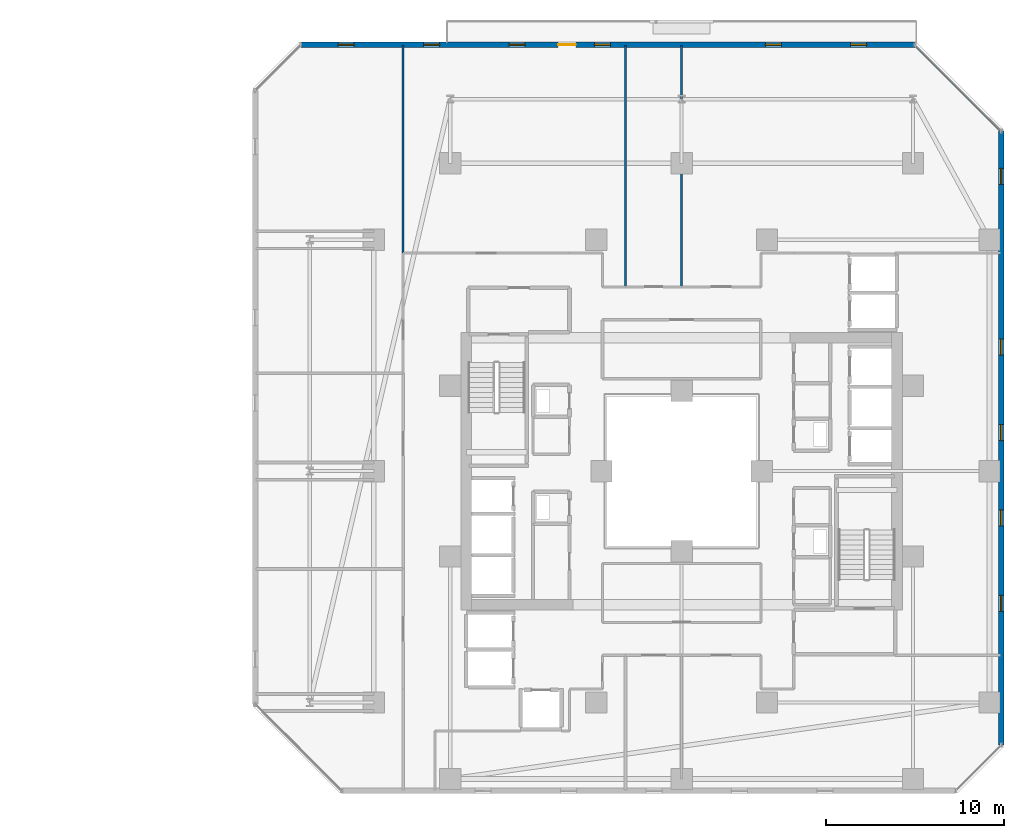
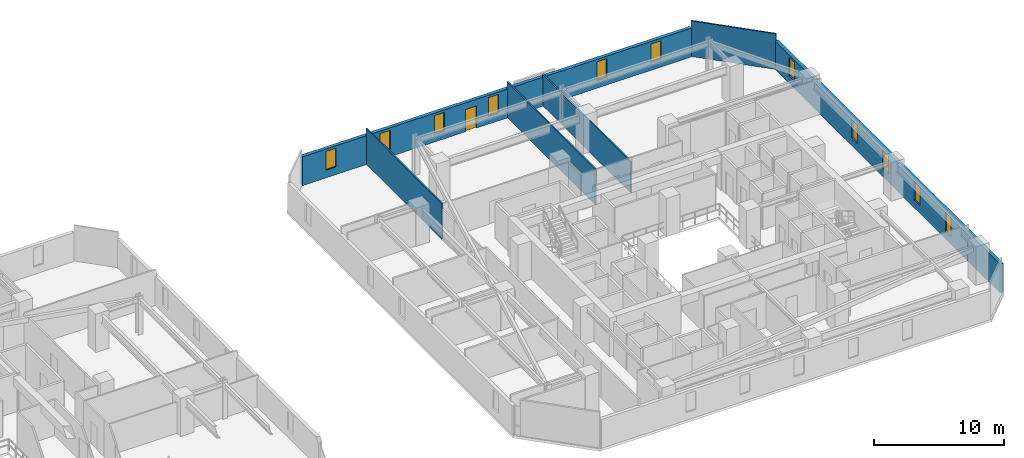
# One storey, part 24 of 31: 11 windows, 6 walls, 1 door, 12 openings.
"""IFC4 building model written with IfcOpenShell, lengths in metres."""

from ifc_helpers import new_model, si_unit, direction, frame, frame_2d, origin, place, context, subcontext, project, spatial, rectangle, extrude, material, layer, layer_set, type_object, element, fill, save


model = new_model("IFC4")

# Units and contexts
model_context = context("Model", 3, precision=1e-05, world=origin(), true_north=direction((0.0, 1.0)))
body_context = subcontext(model_context, "Body", "Model", "MODEL_VIEW")
ifc_project = project(units=[si_unit("LENGTHUNIT", "METRE"), si_unit("AREAUNIT", "SQUARE_METRE"), si_unit("VOLUMEUNIT", "CUBIC_METRE"), si_unit("PLANEANGLEUNIT", "RADIAN"), si_unit("MASSUNIT", "GRAM", prefix="KILO")], contexts=[model_context])

# Site, building, storey
site_placement = place(None, origin())
site = spatial("IfcSite", under=ifc_project, at=site_placement, CompositionType="ELEMENT")
building_placement = place(site_placement, origin())
building = spatial("IfcBuilding", under=site, at=building_placement, Name="Thornwick Lancets Civic Towers", CompositionType="ELEMENT")
storey_placement = place(building_placement, frame((0.0, 0.0, 90.89990234375)))
storey = spatial("IfcBuildingStorey", under=building, at=storey_placement, Name="L23", CompositionType="ELEMENT", Elevation=90.89990234375)

# Wall, openings, windows
ifc_material_1 = material(Name="Insulated russet terracotta rainscreen on concrete C40/50", Category="masonry")
ifc_layer_1 = layer(ifc_material_1, 0.300048828125, Name="Insulated russet terracotta rainscreen on concrete C40/50")
ifc_layer_set_1 = layer_set([ifc_layer_1], Name="Insulated russet terracotta rainscreen on concrete C40/50")
wall_type_1 = type_object("IfcWallType", Name="WALL_EXT_RUSSET_300", PredefinedType="STANDARD", material=ifc_layer_set_1)
wall_1_placement = place(storey_placement, frame((106.464599609375, 11.61865234375, 0.0), z_axis=(0.0, 0.0, 1.0), x_axis=(-0.000212414941, 0.99999997744, 0.0)))
wall_1 = element("IfcWall", 1, at=wall_1_placement, inside=storey, type_object=wall_type_1, Name="L23 Tower B Terracotta Facade Wall E2", PredefinedType="STANDARD", context=body_context, shape_type="SweptSolid", body=[
    extrude(rectangle(XDim=34.480712890625, YDim=0.300048828125, at=frame_2d((17.240234375, 0.0))), origin(), (0.0, 0.0, 1.0), 2.7001953125),
])
opening_1_placement = place(wall_1_placement, frame((7.5, 0.0, 0.719970703125)))
opening_1 = element("IfcOpeningElement", 2, at=opening_1_placement, cuts=wall_1, Name="Opening WL-01", PredefinedType="OPENING", context=body_context, shape_type="SweptSolid", body=[
    extrude(rectangle(XDim=0.89990234375, YDim=1.75, at=frame_2d((0.449951171875, 0.875))), frame((0.0, 0.16015625, 0.0), z_axis=(0.0, -1.0, 0.0), x_axis=(1.0, 0.0, 0.0)), (0.0, 0.0, 1.0), 0.320068359375),
])
opening_2_placement = place(wall_1_placement, frame((12.300048828125, 0.0, 0.719970703125)))
opening_2 = element("IfcOpeningElement", 3, at=opening_2_placement, cuts=wall_1, Name="Opening WL-01", PredefinedType="OPENING", context=body_context, shape_type="SweptSolid", body=[
    extrude(rectangle(XDim=0.89990234375, YDim=1.75, at=frame_2d((0.449951171875, 0.875))), frame((0.0, 0.16015625, 0.0), z_axis=(0.0, -1.0, 0.0), x_axis=(1.0, 0.0, 0.0)), (0.0, 0.0, 1.0), 0.320068359375),
])
opening_3_placement = place(wall_1_placement, frame((17.10009765625, 0.0, 0.719970703125)))
opening_3 = element("IfcOpeningElement", 4, at=opening_3_placement, cuts=wall_1, Name="Opening WL-01", PredefinedType="OPENING", context=body_context, shape_type="SweptSolid", body=[
    extrude(rectangle(XDim=0.89990234375, YDim=1.75, at=frame_2d((0.449951171875, 0.875))), frame((0.0, 0.16015625, 0.0), z_axis=(0.0, -1.0, 0.0), x_axis=(1.0, 0.0, 0.0)), (0.0, 0.0, 1.0), 0.320068359375),
])
opening_4_placement = place(wall_1_placement, frame((21.89990234375, 0.0, 0.719970703125)))
opening_4 = element("IfcOpeningElement", 5, at=opening_4_placement, cuts=wall_1, Name="Opening WL-01", PredefinedType="OPENING", context=body_context, shape_type="SweptSolid", body=[
    extrude(rectangle(XDim=0.89990234375, YDim=1.75, at=frame_2d((0.449951171875, 0.875))), frame((0.0, 0.16015625, 0.0), z_axis=(0.0, -1.0, 0.0), x_axis=(1.0, 0.0, 0.0)), (0.0, 0.0, 1.0), 0.320068359375),
])
opening_5_placement = place(wall_1_placement, frame((31.5, 0.0, 0.719970703125)))
opening_5 = element("IfcOpeningElement", 6, at=opening_5_placement, cuts=wall_1, Name="Opening WL-01", PredefinedType="OPENING", context=body_context, shape_type="SweptSolid", body=[
    extrude(rectangle(XDim=0.89990234375, YDim=1.75, at=frame_2d((0.449951171875, 0.875))), frame((0.0, 0.16015625, 0.0), z_axis=(0.0, -1.0, 0.0), x_axis=(1.0, 0.0, 0.0)), (0.0, 0.0, 1.0), 0.320068359375),
])
ifc_material_2 = material(Name="Clear low-e double glazing in bronze frame", Category="glass")
window_type = type_object("IfcWindowType", Name="WIN_LANCET_900", PartitioningType="SINGLE_PANEL", PredefinedType="WINDOW", material=ifc_material_2)
window_1_placement = place(opening_1_placement, origin())
window_1 = element("IfcWindow", 7, at=window_1_placement, inside=storey, type_object=window_type, Name="L23 Tower B Staggered Lancet Window E2-1", OverallHeight=1.75, OverallWidth=0.89990234375, PartitioningType="SINGLE_PANEL", PredefinedType="WINDOW", context=body_context, shape_type="SweptSolid", body=[
    extrude(rectangle(XDim=0.89990234375, YDim=1.75, at=frame_2d((0.449951171875, 0.875))), frame((0.0, 0.030029296875, 0.0), z_axis=(0.0, -1.0, 0.0), x_axis=(1.0, 0.0, 0.0)), (0.0, 0.0, 1.0), 0.06005859375),
])
fill(opening_1, window_1)
window_2_placement = place(opening_2_placement, origin())
window_2 = element("IfcWindow", 8, at=window_2_placement, inside=storey, type_object=window_type, Name="L23 Tower B Staggered Lancet Window E2-2", OverallHeight=1.75, OverallWidth=0.89990234375, PartitioningType="SINGLE_PANEL", PredefinedType="WINDOW", context=body_context, shape_type="SweptSolid", body=[
    extrude(rectangle(XDim=0.89990234375, YDim=1.75, at=frame_2d((0.449951171875, 0.875))), frame((0.0, 0.030029296875, 0.0), z_axis=(0.0, -1.0, 0.0), x_axis=(1.0, 0.0, 0.0)), (0.0, 0.0, 1.0), 0.06005859375),
])
fill(opening_2, window_2)
window_3_placement = place(opening_3_placement, origin())
window_3 = element("IfcWindow", 9, at=window_3_placement, inside=storey, type_object=window_type, Name="L23 Tower B Staggered Lancet Window E2-3", OverallHeight=1.75, OverallWidth=0.89990234375, PartitioningType="SINGLE_PANEL", PredefinedType="WINDOW", context=body_context, shape_type="SweptSolid", body=[
    extrude(rectangle(XDim=0.89990234375, YDim=1.75, at=frame_2d((0.449951171875, 0.875))), frame((0.0, 0.030029296875, 0.0), z_axis=(0.0, -1.0, 0.0), x_axis=(1.0, 0.0, 0.0)), (0.0, 0.0, 1.0), 0.06005859375),
])
fill(opening_3, window_3)
window_4_placement = place(opening_4_placement, origin())
window_4 = element("IfcWindow", 10, at=window_4_placement, inside=storey, type_object=window_type, Name="L23 Tower B Staggered Lancet Window E2-4", OverallHeight=1.75, OverallWidth=0.89990234375, PartitioningType="SINGLE_PANEL", PredefinedType="WINDOW", context=body_context, shape_type="SweptSolid", body=[
    extrude(rectangle(XDim=0.89990234375, YDim=1.75, at=frame_2d((0.449951171875, 0.875))), frame((0.0, 0.030029296875, 0.0), z_axis=(0.0, -1.0, 0.0), x_axis=(1.0, 0.0, 0.0)), (0.0, 0.0, 1.0), 0.06005859375),
])
fill(opening_4, window_4)
window_5_placement = place(opening_5_placement, origin())
window_5 = element("IfcWindow", 11, at=window_5_placement, inside=storey, type_object=window_type, Name="L23 Tower B Staggered Lancet Window E2-5", OverallHeight=1.75, OverallWidth=0.89990234375, PartitioningType="SINGLE_PANEL", PredefinedType="WINDOW", context=body_context, shape_type="SweptSolid", body=[
    extrude(rectangle(XDim=0.89990234375, YDim=1.75, at=frame_2d((0.449951171875, 0.875))), frame((0.0, 0.030029296875, 0.0), z_axis=(0.0, -1.0, 0.0), x_axis=(1.0, 0.0, 0.0)), (0.0, 0.0, 1.0), 0.06005859375),
])
fill(opening_5, window_5)

# Wall, openings, door, windows
wall_2_placement = place(storey_placement, frame((101.599365234375, 50.957275390625, 0.0), z_axis=(0.0, 0.0, 1.0), x_axis=(-0.99999997744, 0.000212414941, 0.0)))
wall_2 = element("IfcWall", 12, at=wall_2_placement, inside=storey, type_object=wall_type_1, Name="L23 Tower B Terracotta Facade Wall E4", PredefinedType="STANDARD", context=body_context, shape_type="SweptSolid", body=[
    extrude(rectangle(XDim=34.480712890625, YDim=0.300048828125, at=frame_2d((17.240234375, 0.0))), origin(), (0.0, 0.0, 1.0), 2.7001953125),
])
opening_6_placement = place(wall_2_placement, frame((19.040283203125, 0.0, 0.0)))
opening_6 = element("IfcOpeningElement", 13, at=opening_6_placement, cuts=wall_2, Name="Opening D-BL-L23-BN", PredefinedType="OPENING", context=body_context, shape_type="SweptSolid", body=[
    extrude(rectangle(XDim=1.0, YDim=2.080078125, at=frame_2d((0.5, 1.0400390625))), frame((0.0, 0.16015625, 0.0), z_axis=(0.0, -1.0, 0.0), x_axis=(1.0, 0.0, 0.0)), (0.0, 0.0, 1.0), 0.320068359375),
])
opening_7_placement = place(wall_2_placement, frame((2.699951171875, 0.0, 0.719970703125)))
opening_7 = element("IfcOpeningElement", 14, at=opening_7_placement, cuts=wall_2, Name="Opening WL-01", PredefinedType="OPENING", context=body_context, shape_type="SweptSolid", body=[
    extrude(rectangle(XDim=0.89990234375, YDim=1.75, at=frame_2d((0.449951171875, 0.875))), frame((0.0, 0.16015625, 0.0), z_axis=(0.0, -1.0, 0.0), x_axis=(1.0, 0.0, 0.0)), (0.0, 0.0, 1.0), 0.320068359375),
])
opening_8_placement = place(wall_2_placement, frame((7.5, 0.0, 0.719970703125)))
opening_8 = element("IfcOpeningElement", 15, at=opening_8_placement, cuts=wall_2, Name="Opening WL-01", PredefinedType="OPENING", context=body_context, shape_type="SweptSolid", body=[
    extrude(rectangle(XDim=0.89990234375, YDim=1.75, at=frame_2d((0.449951171875, 0.875))), frame((0.0, 0.16015625, 0.0), z_axis=(0.0, -1.0, 0.0), x_axis=(1.0, 0.0, 0.0)), (0.0, 0.0, 1.0), 0.320068359375),
])
opening_9_placement = place(wall_2_placement, frame((17.10009765625, 0.0, 0.719970703125)))
opening_9 = element("IfcOpeningElement", 16, at=opening_9_placement, cuts=wall_2, Name="Opening WL-01", PredefinedType="OPENING", context=body_context, shape_type="SweptSolid", body=[
    extrude(rectangle(XDim=0.89990234375, YDim=1.75, at=frame_2d((0.449951171875, 0.875))), frame((0.0, 0.16015625, 0.0), z_axis=(0.0, -1.0, 0.0), x_axis=(1.0, 0.0, 0.0)), (0.0, 0.0, 1.0), 0.320068359375),
])
opening_10_placement = place(wall_2_placement, frame((21.89990234375, 0.0, 0.719970703125)))
opening_10 = element("IfcOpeningElement", 17, at=opening_10_placement, cuts=wall_2, Name="Opening WL-01", PredefinedType="OPENING", context=body_context, shape_type="SweptSolid", body=[
    extrude(rectangle(XDim=0.89990234375, YDim=1.75, at=frame_2d((0.449951171875, 0.875))), frame((0.0, 0.16015625, 0.0), z_axis=(0.0, -1.0, 0.0), x_axis=(1.0, 0.0, 0.0)), (0.0, 0.0, 1.0), 0.320068359375),
])
opening_11_placement = place(wall_2_placement, frame((26.699951171875, 0.0, 0.719970703125)))
opening_11 = element("IfcOpeningElement", 18, at=opening_11_placement, cuts=wall_2, Name="Opening WL-01", PredefinedType="OPENING", context=body_context, shape_type="SweptSolid", body=[
    extrude(rectangle(XDim=0.89990234375, YDim=1.75, at=frame_2d((0.449951171875, 0.875))), frame((0.0, 0.16015625, 0.0), z_axis=(0.0, -1.0, 0.0), x_axis=(1.0, 0.0, 0.0)), (0.0, 0.0, 1.0), 0.320068359375),
])
opening_12_placement = place(wall_2_placement, frame((31.5, 0.0, 0.719970703125)))
opening_12 = element("IfcOpeningElement", 19, at=opening_12_placement, cuts=wall_2, Name="Opening WL-01", PredefinedType="OPENING", context=body_context, shape_type="SweptSolid", body=[
    extrude(rectangle(XDim=0.89990234375, YDim=1.75, at=frame_2d((0.449951171875, 0.875))), frame((0.0, 0.16015625, 0.0), z_axis=(0.0, -1.0, 0.0), x_axis=(1.0, 0.0, 0.0)), (0.0, 0.0, 1.0), 0.320068359375),
])
ifc_material_3 = material(Name="Thermally broken glazed loggia doorset")
door_type = type_object("IfcDoorType", Name="DOOR_BALC_1000", OperationType="NOTDEFINED", PredefinedType="DOOR", material=ifc_material_3)
door_placement = place(opening_6_placement, origin())
door = element("IfcDoor", 20, at=door_placement, inside=storey, type_object=door_type, Name="L23 Tower B Loggia Balcony Door N", OperationType="SINGLE_SWING_RIGHT", OverallHeight=2.080078125, OverallWidth=1.0, PredefinedType="DOOR", context=body_context, shape_type="SweptSolid", body=[
    extrude(rectangle(XDim=1.0, YDim=2.080078125, at=frame_2d((0.5, 1.0400390625))), frame((0.0, 0.02490234375, 0.0), z_axis=(0.0, -1.0, 0.0), x_axis=(1.0, 0.0, 0.0)), (0.0, 0.0, 1.0), 0.050048828125),
])
fill(opening_6, door)
window_6_placement = place(opening_7_placement, origin())
window_6 = element("IfcWindow", 21, at=window_6_placement, inside=storey, type_object=window_type, Name="L23 Tower B Staggered Lancet Window E4-1", OverallHeight=1.75, OverallWidth=0.89990234375, PartitioningType="SINGLE_PANEL", PredefinedType="WINDOW", context=body_context, shape_type="SweptSolid", body=[
    extrude(rectangle(XDim=0.89990234375, YDim=1.75, at=frame_2d((0.449951171875, 0.875))), frame((0.0, 0.030029296875, 0.0), z_axis=(0.0, -1.0, 0.0), x_axis=(1.0, 0.0, 0.0)), (0.0, 0.0, 1.0), 0.06005859375),
])
fill(opening_7, window_6)
window_7_placement = place(opening_8_placement, origin())
window_7 = element("IfcWindow", 22, at=window_7_placement, inside=storey, type_object=window_type, Name="L23 Tower B Staggered Lancet Window E4-2", OverallHeight=1.75, OverallWidth=0.89990234375, PartitioningType="SINGLE_PANEL", PredefinedType="WINDOW", context=body_context, shape_type="SweptSolid", body=[
    extrude(rectangle(XDim=0.89990234375, YDim=1.75, at=frame_2d((0.449951171875, 0.875))), frame((0.0, 0.030029296875, 0.0), z_axis=(0.0, -1.0, 0.0), x_axis=(1.0, 0.0, 0.0)), (0.0, 0.0, 1.0), 0.06005859375),
])
fill(opening_8, window_7)
window_8_placement = place(opening_9_placement, origin())
window_8 = element("IfcWindow", 23, at=window_8_placement, inside=storey, type_object=window_type, Name="L23 Tower B Staggered Lancet Window E4-3", OverallHeight=1.75, OverallWidth=0.89990234375, PartitioningType="SINGLE_PANEL", PredefinedType="WINDOW", context=body_context, shape_type="SweptSolid", body=[
    extrude(rectangle(XDim=0.89990234375, YDim=1.75, at=frame_2d((0.449951171875, 0.875))), frame((0.0, 0.030029296875, 0.0), z_axis=(0.0, -1.0, 0.0), x_axis=(1.0, 0.0, 0.0)), (0.0, 0.0, 1.0), 0.06005859375),
])
fill(opening_9, window_8)
window_9_placement = place(opening_10_placement, origin())
window_9 = element("IfcWindow", 24, at=window_9_placement, inside=storey, type_object=window_type, Name="L23 Tower B Staggered Lancet Window E4-4", OverallHeight=1.75, OverallWidth=0.89990234375, PartitioningType="SINGLE_PANEL", PredefinedType="WINDOW", context=body_context, shape_type="SweptSolid", body=[
    extrude(rectangle(XDim=0.89990234375, YDim=1.75, at=frame_2d((0.449951171875, 0.875))), frame((0.0, 0.030029296875, 0.0), z_axis=(0.0, -1.0, 0.0), x_axis=(1.0, 0.0, 0.0)), (0.0, 0.0, 1.0), 0.06005859375),
])
fill(opening_10, window_9)
window_10_placement = place(opening_11_placement, origin())
window_10 = element("IfcWindow", 25, at=window_10_placement, inside=storey, type_object=window_type, Name="L23 Tower B Staggered Lancet Window E4-5", OverallHeight=1.75, OverallWidth=0.89990234375, PartitioningType="SINGLE_PANEL", PredefinedType="WINDOW", context=body_context, shape_type="SweptSolid", body=[
    extrude(rectangle(XDim=0.89990234375, YDim=1.75, at=frame_2d((0.449951171875, 0.875))), frame((0.0, 0.030029296875, 0.0), z_axis=(0.0, -1.0, 0.0), x_axis=(1.0, 0.0, 0.0)), (0.0, 0.0, 1.0), 0.06005859375),
])
fill(opening_11, window_10)
window_11_placement = place(opening_12_placement, origin())
window_11 = element("IfcWindow", 26, at=window_11_placement, inside=storey, type_object=window_type, Name="L23 Tower B Staggered Lancet Window E4-6", OverallHeight=1.75, OverallWidth=0.89990234375, PartitioningType="SINGLE_PANEL", PredefinedType="WINDOW", context=body_context, shape_type="SweptSolid", body=[
    extrude(rectangle(XDim=0.89990234375, YDim=1.75, at=frame_2d((0.449951171875, 0.875))), frame((0.0, 0.030029296875, 0.0), z_axis=(0.0, -1.0, 0.0), x_axis=(1.0, 0.0, 0.0)), (0.0, 0.0, 1.0), 0.06005859375),
])
fill(opening_12, window_11)

# Walls
ifc_material_4 = material(Name="Acoustic gypsum board partition")
ifc_layer_2 = layer(ifc_material_4, 0.1201171875, Name="Acoustic gypsum board partition")
ifc_layer_set_2 = layer_set([ifc_layer_2], Name="Acoustic gypsum board partition")
wall_type_2 = type_object("IfcWallType", Name="WALL_PART_120", PredefinedType="PARTITIONING", material=ifc_layer_set_2)
wall_3_placement = place(storey_placement, frame((88.5, 37.35009765625, 0.0), z_axis=(0.0, 0.0, 1.0), x_axis=(0.0, 1.0, 0.0)))
element("IfcWall", 27, at=wall_3_placement, inside=storey, type_object=wall_type_2, Name="L23 Partition L23-B-E1 E7", PredefinedType="PARTITIONING", context=body_context, shape_type="SweptSolid", body=[
    extrude(rectangle(XDim=13.56982421875, YDim=0.1201171875, at=frame_2d((6.784912109375, 0.0))), origin(), (0.0, 0.0, 1.0), 2.932373046875),
])
wall_4_placement = place(storey_placement, frame((101.634521484375, 50.919921875, 0.0), z_axis=(0.0, 0.0, 1.0), x_axis=(0.707106781187, -0.707106781187, 0.0)))
element("IfcWall", 28, at=wall_4_placement, inside=storey, type_object=wall_type_2, Name="L23 Partition L23-B-E1 E9", PredefinedType="PARTITIONING", context=body_context, shape_type="SweptSolid", body=[
    extrude(rectangle(XDim=6.767578125, YDim=0.1201171875, at=frame_2d((3.3837890625, 0.0))), origin(), (0.0, 0.0, 1.0), 3.340087890625),
])
wall_5_placement = place(storey_placement, frame((85.35009765625, 37.35009765625, 0.0), z_axis=(0.0, 0.0, 1.0), x_axis=(0.0, 1.0, 0.0)))
element("IfcWall", 29, at=wall_5_placement, inside=storey, type_object=wall_type_2, Name="L23 Partition L23-B-E2 E1", PredefinedType="PARTITIONING", context=body_context, shape_type="SweptSolid", body=[
    extrude(rectangle(XDim=13.56982421875, YDim=0.1201171875, at=frame_2d((6.784912109375, 0.0))), origin(), (0.0, 0.0, 1.0), 3.340087890625),
])
wall_6_placement = place(storey_placement, frame((72.85009765625, 39.25, 0.0), z_axis=(0.0, 0.0, 1.0), x_axis=(0.0, 1.0, 0.0)))
element("IfcWall", 30, at=wall_6_placement, inside=storey, type_object=wall_type_2, Name="L23 Partition L23-B-E3 E4", PredefinedType="PARTITIONING", context=body_context, shape_type="SweptSolid", body=[
    extrude(rectangle(XDim=11.669921875, YDim=0.1201171875, at=frame_2d((5.8349609375, 0.0))), origin(), (0.0, 0.0, 1.0), 3.340087890625),
])

save(model, "model.ifc")
